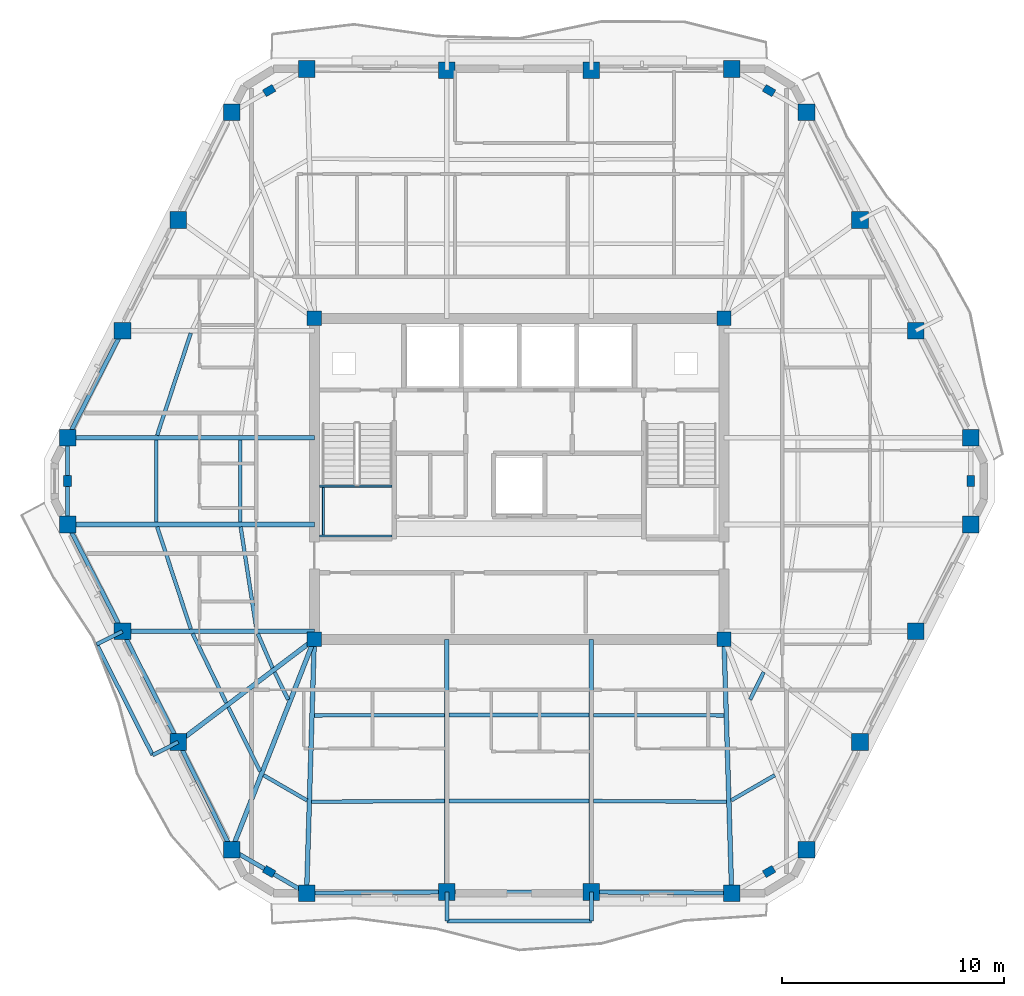
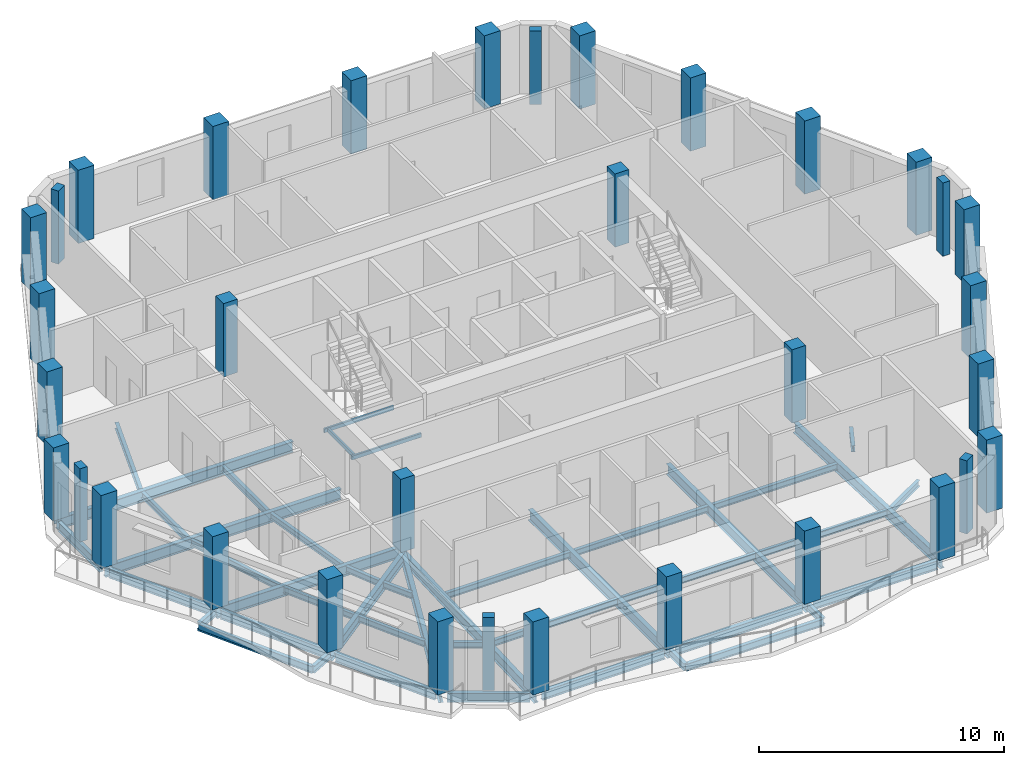
# One storey, part 1 of 11: 45 beams, 34 columns.
"""IFC4 building model written with IfcOpenShell, lengths in metres."""

from ifc_helpers import new_model, si_unit, direction, frame, origin, origin_2d, place, context, subcontext, project, spatial, rectangle, hollow_rectangle, i_section, extrude, material, material_profile, profile_set, type_object, element, save


model = new_model("IFC4")

# Units and contexts
model_context = context("Model", 3, precision=1e-05, world=origin(), true_north=direction((0.0, 1.0)))
body_context = subcontext(model_context, "Body", "Model", "MODEL_VIEW")
ifc_project = project(units=[si_unit("LENGTHUNIT", "METRE"), si_unit("AREAUNIT", "SQUARE_METRE"), si_unit("VOLUMEUNIT", "CUBIC_METRE"), si_unit("PLANEANGLEUNIT", "RADIAN"), si_unit("MASSUNIT", "GRAM", prefix="KILO")], contexts=[model_context])

# Site, building, storey
site_placement = place(None, origin())
site = spatial("IfcSite", under=ifc_project, at=site_placement, CompositionType="ELEMENT")
building_placement = place(site_placement, origin())
building = spatial("IfcBuilding", under=site, at=building_placement, Name="Cinnabar Lancet Tower", CompositionType="ELEMENT")
storey_placement = place(building_placement, frame((0.0, 0.0, 241.60009765625)))
storey = spatial("IfcBuildingStorey", under=building, at=storey_placement, Name="L64", CompositionType="ELEMENT", Elevation=241.60009765625)

# Columns
ifc_material_1 = material(Name="Concrete C50/60", Category="concrete")
ifc_material_profile_1 = material_profile(ifc_material_1, rectangle(XDim=0.64990234375, YDim=0.64990234375, at=origin_2d()), Name="RC-COL 650x650")
ifc_profile_set_1 = profile_set([ifc_material_profile_1], Name="Concrete C50/60")
column_type_1 = type_object("IfcColumnType", Name="STR-COL-CORE-650B", PredefinedType="COLUMN", material=ifc_profile_set_1)
for number, where, z_axis, x_axis, name in (
    (1, (23.175048828125, 18.675048828125, 0.0), (0.0, 0.0, 1.0), (1.0, 0.0, 0.0), "L64 Core Corner Column SW"),
    (2, (41.625, 18.675048828125, 0.0), (0.0, 0.0, 1.0), (1.0, 0.0, 0.0), "L64 Core Corner Column SE"),
    (3, (41.625, 33.125, 0.0), (0.0, 0.0, 1.0), (1.0, 0.0, 0.0), "L64 Core Corner Column NE"),
    (4, (23.175048828125, 33.125, 0.0), (0.0, 0.0, 1.0), (1.0, 0.0, 0.0), "L64 Core Corner Column NW"),
):
    element("IfcColumn", number, at=place(storey_placement, frame(where, z_axis=z_axis, x_axis=x_axis)), inside=storey, type_object=column_type_1, Name=name, PredefinedType="COLUMN", context=body_context, shape_type="SweptSolid", body=[
        extrude(rectangle(XDim=0.64990234375, YDim=0.64990234375, at=origin_2d()), origin(), (0.0, 0.0, 1.0), 3.64990234375),
    ])
ifc_material_2 = material(Name="Concrete C60/75", Category="concrete")
ifc_material_profile_2 = material_profile(ifc_material_2, rectangle(XDim=0.5, YDim=0.35009765625, at=origin_2d()), Name="RC-PIL 500x350")
ifc_profile_set_2 = profile_set([ifc_material_profile_2], Name="Concrete C60/75")
column_type_2 = type_object("IfcColumnType", Name="STR-COL-PIL-500", PredefinedType="PILASTER", material=ifc_profile_set_2)
for number, where, z_axis, x_axis, name in (
    (5, (21.14306640625, 8.215087890625, 0.0), (0.0, 0.0, 1.0), (0.865256437757, -0.501329529272, 0.0), "L64 Chamfered Corner Pilaster 1"),
    (6, (43.656982421875, 8.215087890625, 0.0), (0.0, 0.0, 1.0), (0.865256437757, 0.501329529272, 0.0), "L64 Chamfered Corner Pilaster 2"),
    (7, (52.737060546875, 25.800048828125, 0.0), (0.0, 0.0, 1.0), (0.0, 1.0, 0.0), "L64 Chamfered Corner Pilaster 3"),
    (8, (43.656982421875, 43.385009765625, 0.0), (0.0, 0.0, 1.0), (-0.865256437757, 0.501329529272, 0.0), "L64 Chamfered Corner Pilaster 4"),
    (9, (21.14306640625, 43.385009765625, 0.0), (0.0, 0.0, 1.0), (-0.865256437757, -0.501329529272, 0.0), "L64 Chamfered Corner Pilaster 5"),
    (10, (12.06298828125, 25.800048828125, 0.0), (0.0, 0.0, 1.0), (0.0, -1.0, 0.0), "L64 Chamfered Corner Pilaster 6"),
):
    element("IfcColumn", number, at=place(storey_placement, frame(where, z_axis=z_axis, x_axis=x_axis)), inside=storey, type_object=column_type_2, Name=name, PredefinedType="PILASTER", context=body_context, shape_type="SweptSolid", body=[
        extrude(rectangle(XDim=0.5, YDim=0.35009765625, at=origin_2d()), origin(), (0.0, 0.0, 1.0), 3.64990234375),
    ])
ifc_material_3 = material(Name="Concrete C50/60", Category="concrete")
ifc_material_profile_3 = material_profile(ifc_material_3, rectangle(XDim=0.75, YDim=0.75, at=origin_2d()), Name="RC-COL 750x750")
ifc_profile_set_3 = profile_set([ifc_material_profile_3], Name="Concrete C50/60")
column_type_3 = type_object("IfcColumnType", Name="STR-COL-TUBE-750", PredefinedType="COLUMN", material=ifc_profile_set_3)
for number, where, z_axis, x_axis, name in (
    (11, (22.827880859375, 7.239013671875, 0.0), (0.0, 0.0, 1.0), (1.0, 0.0, 0.0), "L64 Perimeter Tube Column 1"),
    (12, (29.14599609375, 7.2919921875, 0.0), (0.0, 0.0, 1.0), (1.0, 0.0, 0.0), "L64 Perimeter Tube Column 2"),
    (13, (35.654052734375, 7.2919921875, 0.0), (0.0, 0.0, 1.0), (1.0, 0.0, 0.0), "L64 Perimeter Tube Column 3"),
    (14, (41.971923828125, 7.239013671875, 0.0), (0.0, 0.0, 1.0), (1.0, 0.0, 0.0), "L64 Perimeter Tube Column 4"),
    (15, (45.341064453125, 9.19091796875, 0.0), (0.0, 0.0, 1.0), (1.0, 0.0, 0.0), "L64 Perimeter Tube Column 5"),
    (16, (47.7490234375, 14.0458984375, 0.0), (0.0, 0.0, 1.0), (1.0, 0.0, 0.0), "L64 Perimeter Tube Column 6"),
    (17, (50.263916015625, 19.032958984375, 0.0), (0.0, 0.0, 1.0), (1.0, 0.0, 0.0), "L64 Perimeter Tube Column 7"),
    (18, (52.737060546875, 23.844970703125, 0.0), (0.0, 0.0, 1.0), (1.0, 0.0, 0.0), "L64 Perimeter Tube Column 8"),
    (19, (52.737060546875, 27.7548828125, 0.0), (0.0, 0.0, 1.0), (1.0, 0.0, 0.0), "L64 Perimeter Tube Column 9"),
    (20, (50.263916015625, 32.56689453125, 0.0), (0.0, 0.0, 1.0), (1.0, 0.0, 0.0), "L64 Perimeter Tube Column 10"),
    (21, (47.7490234375, 37.553955078125, 0.0), (0.0, 0.0, 1.0), (1.0, 0.0, 0.0), "L64 Perimeter Tube Column 11"),
    (22, (45.341064453125, 42.408935546875, 0.0), (0.0, 0.0, 1.0), (1.0, 0.0, 0.0), "L64 Perimeter Tube Column 12"),
    (23, (41.971923828125, 44.361083984375, 0.0), (0.0, 0.0, 1.0), (1.0, 0.0, 0.0), "L64 Perimeter Tube Column 13"),
    (24, (35.654052734375, 44.30810546875, 0.0), (0.0, 0.0, 1.0), (1.0, 0.0, 0.0), "L64 Perimeter Tube Column 14"),
    (25, (29.14599609375, 44.30810546875, 0.0), (0.0, 0.0, 1.0), (1.0, 0.0, 0.0), "L64 Perimeter Tube Column 15"),
    (26, (22.827880859375, 44.361083984375, 0.0), (0.0, 0.0, 1.0), (1.0, 0.0, 0.0), "L64 Perimeter Tube Column 16"),
    (27, (19.458984375, 42.408935546875, 0.0), (0.0, 0.0, 1.0), (1.0, 0.0, 0.0), "L64 Perimeter Tube Column 17"),
    (28, (17.051025390625, 37.553955078125, 0.0), (0.0, 0.0, 1.0), (1.0, 0.0, 0.0), "L64 Perimeter Tube Column 18"),
    (29, (14.535888671875, 32.56689453125, 0.0), (0.0, 0.0, 1.0), (1.0, 0.0, 0.0), "L64 Perimeter Tube Column 19"),
    (30, (12.06298828125, 27.7548828125, 0.0), (0.0, 0.0, 1.0), (1.0, 0.0, 0.0), "L64 Perimeter Tube Column 20"),
    (31, (12.06298828125, 23.844970703125, 0.0), (0.0, 0.0, 1.0), (1.0, 0.0, 0.0), "L64 Perimeter Tube Column 21"),
    (32, (14.535888671875, 19.032958984375, 0.0), (0.0, 0.0, 1.0), (1.0, 0.0, 0.0), "L64 Perimeter Tube Column 22"),
    (33, (17.051025390625, 14.0458984375, 0.0), (0.0, 0.0, 1.0), (1.0, 0.0, 0.0), "L64 Perimeter Tube Column 23"),
    (34, (19.458984375, 9.19091796875, 0.0), (0.0, 0.0, 1.0), (1.0, 0.0, 0.0), "L64 Perimeter Tube Column 24"),
):
    element("IfcColumn", number, at=place(storey_placement, frame(where, z_axis=z_axis, x_axis=x_axis)), inside=storey, type_object=column_type_3, Name=name, PredefinedType="COLUMN", context=body_context, shape_type="SweptSolid", body=[
        extrude(rectangle(XDim=0.75, YDim=0.75, at=origin_2d()), origin(), (0.0, 0.0, 1.0), 3.64990234375),
    ])

# Beams
ifc_material_4 = material(Name="Structural steel S355", Category="steel")
ifc_material_profile_4 = material_profile(ifc_material_4, i_section(OverallWidth=0.1650390625, OverallDepth=0.303466796875, WebThickness=0.006103515625, FlangeThickness=0.01025390625, FilletRadius=0.0087890625, at=origin_2d()), Name="UKB 305x165x40")
ifc_profile_set_4 = profile_set([ifc_material_profile_4], Name="Structural steel S355")
beam_type_1 = type_object("IfcBeamType", Name="STR-BM-JST-305", PredefinedType="JOIST", material=ifc_profile_set_4)
beam_1_placement = place(storey_placement, frame((16.097900390625, 23.739990234375, -0.35205078125), z_axis=(0.312536616989, -0.949905712711, 0.0), x_axis=(0.949905712711, 0.312536616989, 0.0)))
element("IfcBeam", 35, at=beam_1_placement, inside=storey, type_object=beam_type_1, Name="L64 Secondary Floor Joist 1", PredefinedType="JOIST", context=body_context, shape_type="SweptSolid", body=[
    extrude(i_section(OverallWidth=0.1650390625, OverallDepth=0.303466796875, WebThickness=0.006103515625, FlangeThickness=0.01025390625, FilletRadius=0.0087890625, at=origin_2d()), origin(), (0.0, 0.0, 1.0), 4.8447265625),
])
beam_2_placement = place(storey_placement, frame((19.85791015625, 23.739990234375, -0.35205078125), z_axis=(0.152262059154, -0.988340156698, 0.0), x_axis=(0.988340156698, 0.152262059154, 0.0)))
element("IfcBeam", 36, at=beam_2_placement, inside=storey, type_object=beam_type_1, Name="L64 Secondary Floor Joist 2", PredefinedType="JOIST", context=body_context, shape_type="SweptSolid", body=[
    extrude(i_section(OverallWidth=0.1650390625, OverallDepth=0.303466796875, WebThickness=0.006103515625, FlangeThickness=0.01025390625, FilletRadius=0.0087890625, at=origin_2d()), origin(), (0.0, 0.0, 1.0), 4.65625),
])
beam_3_placement = place(storey_placement, frame((17.697021484375, 18.927978515625, -0.35205078125), z_axis=(0.43610936109, -0.899893674369, 0.0), x_axis=(0.899893674369, 0.43610936109, 0.0)))
element("IfcBeam", 37, at=beam_3_placement, inside=storey, type_object=beam_type_1, Name="L64 Secondary Floor Joist 3", PredefinedType="JOIST", context=body_context, shape_type="SweptSolid", body=[
    extrude(i_section(OverallWidth=0.1650390625, OverallDepth=0.303466796875, WebThickness=0.006103515625, FlangeThickness=0.01025390625, FilletRadius=0.0087890625, at=origin_2d()), origin(), (0.0, 0.0, 1.0), 3.467041015625),
])
beam_4_placement = place(storey_placement, frame((20.62890625, 18.927978515625, -0.35205078125), z_axis=(0.396302440144, -0.91812002262, 0.0), x_axis=(0.91812002262, 0.396302440144, 0.0)))
element("IfcBeam", 38, at=beam_4_placement, inside=storey, type_object=beam_type_1, Name="L64 Secondary Floor Joist 4", PredefinedType="JOIST", context=body_context, shape_type="SweptSolid", body=[
    extrude(i_section(OverallWidth=0.1650390625, OverallDepth=0.303466796875, WebThickness=0.006103515625, FlangeThickness=0.01025390625, FilletRadius=0.0087890625, at=origin_2d()), origin(), (0.0, 0.0, 1.0), 1.6806640625),
])
beam_5_placement = place(storey_placement, frame((19.302978515625, 15.616943359375, -0.35205078125), z_axis=(0.444330443712, -0.895862967641, 0.0), x_axis=(0.895862967641, 0.444330443712, 0.0)))
element("IfcBeam", 39, at=beam_5_placement, inside=storey, type_object=beam_type_1, Name="L64 Secondary Floor Joist 5", PredefinedType="JOIST", context=body_context, shape_type="SweptSolid", body=[
    extrude(i_section(OverallWidth=0.1650390625, OverallDepth=0.303466796875, WebThickness=0.006103515625, FlangeThickness=0.01025390625, FilletRadius=0.0087890625, at=origin_2d()), origin(), (0.0, 0.0, 1.0), 3.220458984375),
])
beam_6_placement = place(storey_placement, frame((21.385009765625, 17.19091796875, -0.35205078125), z_axis=(0.444093192127, -0.89598060063, 0.0), x_axis=(0.89598060063, 0.444093192127, 0.0)))
element("IfcBeam", 40, at=beam_6_placement, inside=storey, type_object=beam_type_1, Name="L64 Secondary Floor Joist 6", PredefinedType="JOIST", context=body_context, shape_type="SweptSolid", body=[
    extrude(i_section(OverallWidth=0.1650390625, OverallDepth=0.303466796875, WebThickness=0.006103515625, FlangeThickness=0.01025390625, FilletRadius=0.0087890625, at=origin_2d()), origin(), (0.0, 0.0, 1.0), 1.378173828125),
])
beam_7_placement = place(storey_placement, frame((20.887939453125, 12.552001953125, -0.35205078125), z_axis=(0.865426285481, -0.501036270542, 0.0), x_axis=(0.501036270542, 0.865426285481, 0.0)))
element("IfcBeam", 41, at=beam_7_placement, inside=storey, type_object=beam_type_1, Name="L64 Secondary Floor Joist 7", PredefinedType="JOIST", context=body_context, shape_type="SweptSolid", body=[
    extrude(i_section(OverallWidth=0.1650390625, OverallDepth=0.303466796875, WebThickness=0.006103515625, FlangeThickness=0.01025390625, FilletRadius=0.0087890625, at=origin_2d()), origin(), (0.0, 0.0, 1.0), 2.267333984375),
])
beam_8_placement = place(storey_placement, frame((23.05810546875, 11.35693359375, -0.35205078125), z_axis=(0.999985712428, 0.005345553266, 0.0), x_axis=(-0.005345553266, 0.999985712428, 0.0)))
element("IfcBeam", 42, at=beam_8_placement, inside=storey, type_object=beam_type_1, Name="L64 Secondary Floor Joist 8", PredefinedType="JOIST", context=body_context, shape_type="SweptSolid", body=[
    extrude(i_section(OverallWidth=0.1650390625, OverallDepth=0.303466796875, WebThickness=0.006103515625, FlangeThickness=0.01025390625, FilletRadius=0.0087890625, at=origin_2d()), origin(), (0.0, 0.0, 1.0), 5.98291015625),
])
beam_9_placement = place(storey_placement, frame((23.176025390625, 15.243896484375, -0.35205078125), z_axis=(0.999996226008, 0.002747356738, 0.0), x_axis=(-0.002747356738, 0.999996226008, 0.0)))
element("IfcBeam", 43, at=beam_9_placement, inside=storey, type_object=beam_type_1, Name="L64 Secondary Floor Joist 9", PredefinedType="JOIST", context=body_context, shape_type="SweptSolid", body=[
    extrude(i_section(OverallWidth=0.1650390625, OverallDepth=0.303466796875, WebThickness=0.006103515625, FlangeThickness=0.01025390625, FilletRadius=0.0087890625, at=origin_2d()), origin(), (0.0, 0.0, 1.0), 5.864990234375),
])
for number, where, z_axis, x_axis, name in (
    (44, (29.2509765625, 11.389892578125, -0.35205078125), (1.0, 0.0, 0.0), (0.0, 1.0, 0.0), "L64 Secondary Floor Joist 10"),
    (45, (29.2509765625, 15.260009765625, -0.35205078125), (1.0, 0.0, 0.0), (0.0, 1.0, 0.0), "L64 Secondary Floor Joist 11"),
):
    element("IfcBeam", number, at=place(storey_placement, frame(where, z_axis=z_axis, x_axis=x_axis)), inside=storey, type_object=beam_type_1, Name=name, PredefinedType="JOIST", context=body_context, shape_type="SweptSolid", body=[
        extrude(i_section(OverallWidth=0.1650390625, OverallDepth=0.303466796875, WebThickness=0.006103515625, FlangeThickness=0.01025390625, FilletRadius=0.0087890625, at=origin_2d()), origin(), (0.0, 0.0, 1.0), 6.298095703125),
    ])
beam_10_placement = place(storey_placement, frame((35.759033203125, 11.388916015625, -0.35205078125), z_axis=(0.999985712428, -0.005345553266, 0.0), x_axis=(0.005345553266, 0.999985712428, 0.0)))
element("IfcBeam", 46, at=beam_10_placement, inside=storey, type_object=beam_type_1, Name="L64 Secondary Floor Joist 12", PredefinedType="JOIST", context=body_context, shape_type="SweptSolid", body=[
    extrude(i_section(OverallWidth=0.1650390625, OverallDepth=0.303466796875, WebThickness=0.006103515625, FlangeThickness=0.01025390625, FilletRadius=0.0087890625, at=origin_2d()), origin(), (0.0, 0.0, 1.0), 5.98291015625),
])
beam_11_placement = place(storey_placement, frame((35.759033203125, 15.260009765625, -0.35205078125), z_axis=(0.999996226008, -0.002747356738, 0.0), x_axis=(0.002747356738, 0.999996226008, 0.0)))
element("IfcBeam", 47, at=beam_11_placement, inside=storey, type_object=beam_type_1, Name="L64 Secondary Floor Joist 13", PredefinedType="JOIST", context=body_context, shape_type="SweptSolid", body=[
    extrude(i_section(OverallWidth=0.1650390625, OverallDepth=0.303466796875, WebThickness=0.006103515625, FlangeThickness=0.01025390625, FilletRadius=0.0087890625, at=origin_2d()), origin(), (0.0, 0.0, 1.0), 5.864990234375),
])
beam_12_placement = place(storey_placement, frame((41.949951171875, 11.416015625, -0.35205078125), z_axis=(0.865426285481, 0.501036270542, 0.0), x_axis=(-0.501036270542, 0.865426285481, 0.0)))
element("IfcBeam", 48, at=beam_12_placement, inside=storey, type_object=beam_type_1, Name="L64 Secondary Floor Joist 14", PredefinedType="JOIST", context=body_context, shape_type="SweptSolid", body=[
    extrude(i_section(OverallWidth=0.1650390625, OverallDepth=0.303466796875, WebThickness=0.006103515625, FlangeThickness=0.01025390625, FilletRadius=0.0087890625, at=origin_2d()), origin(), (0.0, 0.0, 1.0), 2.267333984375),
])
beam_13_placement = place(storey_placement, frame((42.802978515625, 15.9560546875, -0.35205078125), z_axis=(0.444093192127, 0.89598060063, 0.0), x_axis=(-0.89598060063, 0.444093192127, 0.0)))
element("IfcBeam", 49, at=beam_13_placement, inside=storey, type_object=beam_type_1, Name="L64 Secondary Floor Joist 16", PredefinedType="JOIST", context=body_context, shape_type="SweptSolid", body=[
    extrude(i_section(OverallWidth=0.1650390625, OverallDepth=0.303466796875, WebThickness=0.006103515625, FlangeThickness=0.01025390625, FilletRadius=0.0087890625, at=origin_2d()), origin(), (0.0, 0.0, 1.0), 1.378173828125),
])
beam_14_placement = place(storey_placement, frame((17.612060546875, 32.4619140625, -0.35205078125), z_axis=(-0.312551578319, -0.949900790025, 0.0), x_axis=(0.949900790025, -0.312551578319, 0.0)))
element("IfcBeam", 50, at=beam_14_placement, inside=storey, type_object=beam_type_1, Name="L64 Secondary Floor Joist 41", PredefinedType="JOIST", context=body_context, shape_type="SweptSolid", body=[
    extrude(i_section(OverallWidth=0.1650390625, OverallDepth=0.303466796875, WebThickness=0.006103515625, FlangeThickness=0.01025390625, FilletRadius=0.0087890625, at=origin_2d()), origin(), (0.0, 0.0, 1.0), 4.844482421875),
])
for number, where, z_axis, x_axis, name in (
    (51, (16.06298828125, 27.64990234375, -0.35205078125), (0.0, -1.0, 0.0), (1.0, 0.0, 0.0), "L64 Secondary Floor Joist 43"),
    (52, (19.841064453125, 27.64990234375, -0.35205078125), (0.0, -1.0, 0.0), (1.0, 0.0, 0.0), "L64 Secondary Floor Joist 44"),
):
    element("IfcBeam", number, at=place(storey_placement, frame(where, z_axis=z_axis, x_axis=x_axis)), inside=storey, type_object=beam_type_1, Name=name, PredefinedType="JOIST", context=body_context, shape_type="SweptSolid", body=[
        extrude(i_section(OverallWidth=0.1650390625, OverallDepth=0.303466796875, WebThickness=0.006103515625, FlangeThickness=0.01025390625, FilletRadius=0.0087890625, at=origin_2d()), origin(), (0.0, 0.0, 1.0), 3.699951171875),
    ])
ifc_material_5 = material(Name="Structural steel S355", Category="steel")
ifc_material_profile_5 = material_profile(ifc_material_5, hollow_rectangle(XDim=0.10009765625, YDim=0.199951171875, WallThickness=0.008056640625, InnerFilletRadius=0.00390625, OuterFilletRadius=0.011962890625, at=origin_2d()), Name="RHS 200x100x8")
ifc_profile_set_5 = profile_set([ifc_material_profile_5], Name="Structural steel S355")
beam_type_2 = type_object("IfcBeamType", Name="STR-BM-LND-203", PredefinedType="BEAM", material=ifc_profile_set_5)
for number, where, z_axis, x_axis, name in (
    (53, (23.39990234375, 23.330078125, 1.52490234375), (1.0, 0.0, 0.0), (0.0, 1.0, 0.0), "L64 ST-1-L64 Landing Support Beam S"),
    (54, (23.39990234375, 25.570068359375, 1.52490234375), (1.0, 0.0, 0.0), (0.0, 1.0, 0.0), "L64 ST-1-L64 Landing Support Beam N"),
):
    element("IfcBeam", number, at=place(storey_placement, frame(where, z_axis=z_axis, x_axis=x_axis)), inside=storey, type_object=beam_type_2, Name=name, PredefinedType="BEAM", context=body_context, shape_type="SweptSolid", body=[
        extrude(hollow_rectangle(XDim=0.10009765625, YDim=0.199951171875, WallThickness=0.008056640625, InnerFilletRadius=0.00390625, OuterFilletRadius=0.011962890625, at=origin_2d()), origin(), (0.0, 0.0, 1.0), 3.280029296875),
    ])
beam_15_placement = place(storey_placement, frame((23.580078125, 23.3798828125, 1.52490234375), z_axis=(0.0, 1.0, 0.0), x_axis=(-1.0, 0.0, 0.0)))
element("IfcBeam", 55, at=beam_15_placement, inside=storey, type_object=beam_type_2, Name="L64 ST-1-L64 Landing Side Trimmer Beam", PredefinedType="BEAM", context=body_context, shape_type="SweptSolid", body=[
    extrude(hollow_rectangle(XDim=0.10009765625, YDim=0.199951171875, WallThickness=0.008056640625, InnerFilletRadius=0.00390625, OuterFilletRadius=0.011962890625, at=origin_2d()), origin(), (0.0, 0.0, 1.0), 2.14013671875),
])
ifc_material_6 = material(Name="Structural steel S355", Category="steel")
ifc_material_profile_6 = material_profile(ifc_material_6, i_section(OverallWidth=0.1904296875, OverallDepth=0.45703125, WebThickness=0.009033203125, FlangeThickness=0.014404296875, FilletRadius=0.01025390625, at=origin_2d()), Name="UKB 457x191x74")
ifc_profile_set_6 = profile_set([ifc_material_profile_6], Name="Structural steel S355")
beam_type_3 = type_object("IfcBeamType", Name="STR-BM-SPN-457", PredefinedType="SPANDREL", material=ifc_profile_set_6)
beam_16_placement = place(storey_placement, frame((23.077880859375, 7.240966796875, -0.427978515625), z_axis=(0.999964432412, 0.008434092187, 0.0), x_axis=(-0.008434092187, 0.999964432412, 0.0)))
element("IfcBeam", 56, at=beam_16_placement, inside=storey, type_object=beam_type_3, Name="L64 Perimeter Spandrel 1", PredefinedType="SPANDREL", context=body_context, shape_type="SweptSolid", body=[
    extrude(i_section(OverallWidth=0.1904296875, OverallDepth=0.45703125, WebThickness=0.009033203125, FlangeThickness=0.014404296875, FilletRadius=0.01025390625, at=origin_2d()), origin(), (0.0, 0.0, 1.0), 5.818359375),
])
beam_17_placement = place(storey_placement, frame((29.39599609375, 7.2919921875, -0.427978515625), z_axis=(1.0, 0.0, 0.0), x_axis=(0.0, 1.0, 0.0)))
element("IfcBeam", 57, at=beam_17_placement, inside=storey, type_object=beam_type_3, Name="L64 Perimeter Spandrel 2", PredefinedType="SPANDREL", context=body_context, shape_type="SweptSolid", body=[
    extrude(i_section(OverallWidth=0.1904296875, OverallDepth=0.45703125, WebThickness=0.009033203125, FlangeThickness=0.014404296875, FilletRadius=0.01025390625, at=origin_2d()), origin(), (0.0, 0.0, 1.0), 6.008056640625),
])
beam_18_placement = place(storey_placement, frame((35.904052734375, 7.2900390625, -0.427978515625), z_axis=(0.999964429427, -0.00843444609, 0.0), x_axis=(0.00843444609, 0.999964429427, 0.0)))
element("IfcBeam", 58, at=beam_18_placement, inside=storey, type_object=beam_type_3, Name="L64 Perimeter Spandrel 3", PredefinedType="SPANDREL", context=body_context, shape_type="SweptSolid", body=[
    extrude(i_section(OverallWidth=0.1904296875, OverallDepth=0.45703125, WebThickness=0.009033203125, FlangeThickness=0.014404296875, FilletRadius=0.01025390625, at=origin_2d()), origin(), (0.0, 0.0, 1.0), 5.818115234375),
])
beam_19_placement = place(storey_placement, frame((14.422119140625, 32.344970703125, -0.427978515625), z_axis=(-0.457148063427, -0.889390604912, 0.0), x_axis=(0.889390604912, -0.457148063427, 0.0)))
element("IfcBeam", 59, at=beam_19_placement, inside=storey, type_object=beam_type_3, Name="L64 Perimeter Spandrel 19", PredefinedType="SPANDREL", context=body_context, shape_type="SweptSolid", body=[
    extrude(i_section(OverallWidth=0.1904296875, OverallDepth=0.45703125, WebThickness=0.009033203125, FlangeThickness=0.014404296875, FilletRadius=0.01025390625, at=origin_2d()), origin(), (0.0, 0.0, 1.0), 4.9111328125),
])
beam_20_placement = place(storey_placement, frame((12.06298828125, 27.5048828125, -0.427978515625), z_axis=(0.0, -1.0, 0.0), x_axis=(1.0, 0.0, 0.0)))
element("IfcBeam", 60, at=beam_20_placement, inside=storey, type_object=beam_type_3, Name="L64 Perimeter Spandrel 20", PredefinedType="SPANDREL", context=body_context, shape_type="SweptSolid", body=[
    extrude(i_section(OverallWidth=0.1904296875, OverallDepth=0.45703125, WebThickness=0.009033203125, FlangeThickness=0.014404296875, FilletRadius=0.01025390625, at=origin_2d()), origin(), (0.0, 0.0, 1.0), 3.409912109375),
])
beam_21_placement = place(storey_placement, frame((12.177001953125, 23.623046875, -0.427978515625), z_axis=(0.457127852293, -0.889400993174, 0.0), x_axis=(0.889400993174, 0.457127852293, 0.0)))
element("IfcBeam", 61, at=beam_21_placement, inside=storey, type_object=beam_type_3, Name="L64 Perimeter Spandrel 21", PredefinedType="SPANDREL", context=body_context, shape_type="SweptSolid", body=[
    extrude(i_section(OverallWidth=0.1904296875, OverallDepth=0.45703125, WebThickness=0.009033203125, FlangeThickness=0.014404296875, FilletRadius=0.01025390625, at=origin_2d()), origin(), (0.0, 0.0, 1.0), 4.911376953125),
])
beam_22_placement = place(storey_placement, frame((14.64892578125, 18.81005859375, -0.427978515625), z_axis=(0.450130146726, -0.892962961722, 0.0), x_axis=(0.892962961722, 0.450130146726, 0.0)))
element("IfcBeam", 62, at=beam_22_placement, inside=storey, type_object=beam_type_3, Name="L64 Perimeter Spandrel 22", PredefinedType="SPANDREL", context=body_context, shape_type="SweptSolid", body=[
    extrude(i_section(OverallWidth=0.1904296875, OverallDepth=0.45703125, WebThickness=0.009033203125, FlangeThickness=0.014404296875, FilletRadius=0.01025390625, at=origin_2d()), origin(), (0.0, 0.0, 1.0), 5.08544921875),
])
beam_23_placement = place(storey_placement, frame((17.162109375, 13.822021484375, -0.427978515625), z_axis=(0.44433276947, -0.895861814107, 0.0), x_axis=(0.895861814107, 0.44433276947, 0.0)))
element("IfcBeam", 63, at=beam_23_placement, inside=storey, type_object=beam_type_3, Name="L64 Perimeter Spandrel 23", PredefinedType="SPANDREL", context=body_context, shape_type="SweptSolid", body=[
    extrude(i_section(OverallWidth=0.1904296875, OverallDepth=0.45703125, WebThickness=0.009033203125, FlangeThickness=0.014404296875, FilletRadius=0.01025390625, at=origin_2d()), origin(), (0.0, 0.0, 1.0), 4.919189453125),
])
beam_24_placement = place(storey_placement, frame((19.675048828125, 9.06591796875, -0.427978515625), z_axis=(0.865230894194, -0.50137361292, 0.0), x_axis=(0.50137361292, 0.865230894194, 0.0)))
element("IfcBeam", 64, at=beam_24_placement, inside=storey, type_object=beam_type_3, Name="L64 Perimeter Spandrel 24", PredefinedType="SPANDREL", context=body_context, shape_type="SweptSolid", body=[
    extrude(i_section(OverallWidth=0.1904296875, OverallDepth=0.45703125, WebThickness=0.009033203125, FlangeThickness=0.014404296875, FilletRadius=0.01025390625, at=origin_2d()), origin(), (0.0, 0.0, 1.0), 3.39453125),
])
ifc_material_7 = material(Name="Structural steel S355", Category="steel")
ifc_material_profile_7 = material_profile(ifc_material_7, i_section(OverallWidth=0.209228515625, OverallDepth=0.533203125, WebThickness=0.010009765625, FlangeThickness=0.015625, FilletRadius=0.0126953125, at=origin_2d()), Name="UKB 533x210x92")
ifc_profile_set_7 = profile_set([ifc_material_profile_7], Name="Structural steel S355")
beam_type_4 = type_object("IfcBeamType", Name="STR-BM-UKB533-92", PredefinedType="BEAM", material=ifc_profile_set_7)
beam_25_placement = place(storey_placement, frame((17.051025390625, 14.0458984375, -0.467041015625), z_axis=(0.797735075719, 0.603008083667, 0.0), x_axis=(-0.603008083667, 0.797735075719, 0.0)))
element("IfcBeam", 65, at=beam_25_placement, inside=storey, type_object=beam_type_4, Name="L64 Corner Collector Girder 1", PredefinedType="BEAM", context=body_context, shape_type="SweptSolid", body=[
    extrude(i_section(OverallWidth=0.209228515625, OverallDepth=0.533203125, WebThickness=0.010009765625, FlangeThickness=0.015625, FilletRadius=0.0126953125, at=origin_2d()), origin(), (0.0, 0.0, 1.0), 7.6767578125),
])
beam_26_placement = place(storey_placement, frame((22.827880859375, 7.239013671875, -0.467041015625), z_axis=(0.030343393029, 0.999539533235, 0.0), x_axis=(-0.999539533235, 0.030343393029, 0.0)))
element("IfcBeam", 66, at=beam_26_placement, inside=storey, type_object=beam_type_4, Name="L64 Primary Floor Girder 1", PredefinedType="BEAM", context=body_context, shape_type="SweptSolid", body=[
    extrude(i_section(OverallWidth=0.209228515625, OverallDepth=0.533203125, WebThickness=0.010009765625, FlangeThickness=0.015625, FilletRadius=0.0126953125, at=origin_2d()), origin(), (0.0, 0.0, 1.0), 11.44140625),
])
for number, where, z_axis, x_axis, name in (
    (67, (29.14599609375, 7.2919921875, -0.467041015625), (0.0, 1.0, 0.0), (-1.0, 0.0, 0.0), "L64 Primary Floor Girder 2"),
    (68, (35.654052734375, 7.2919921875, -0.467041015625), (0.0, 1.0, 0.0), (-1.0, 0.0, 0.0), "L64 Primary Floor Girder 3"),
):
    element("IfcBeam", number, at=place(storey_placement, frame(where, z_axis=z_axis, x_axis=x_axis)), inside=storey, type_object=beam_type_4, Name=name, PredefinedType="BEAM", context=body_context, shape_type="SweptSolid", body=[
        extrude(i_section(OverallWidth=0.209228515625, OverallDepth=0.533203125, WebThickness=0.010009765625, FlangeThickness=0.015625, FilletRadius=0.0126953125, at=origin_2d()), origin(), (0.0, 0.0, 1.0), 11.383056640625),
    ])
beam_27_placement = place(storey_placement, frame((41.971923828125, 7.239013671875, -0.467041015625), z_axis=(-0.030322074123, 0.999540180193, 0.0), x_axis=(-0.999540180193, -0.030322074123, 0.0)))
element("IfcBeam", 69, at=beam_27_placement, inside=storey, type_object=beam_type_4, Name="L64 Primary Floor Girder 4", PredefinedType="BEAM", context=body_context, shape_type="SweptSolid", body=[
    extrude(i_section(OverallWidth=0.209228515625, OverallDepth=0.533203125, WebThickness=0.010009765625, FlangeThickness=0.015625, FilletRadius=0.0126953125, at=origin_2d()), origin(), (0.0, 0.0, 1.0), 11.44140625),
])
for number, where, z_axis, x_axis, name in (
    (70, (12.06298828125, 27.7548828125, -0.467041015625), (1.0, 0.0, 0.0), (0.0, 1.0, 0.0), "L64 Primary Floor Girder 20"),
    (71, (12.06298828125, 23.844970703125, -0.467041015625), (1.0, 0.0, 0.0), (0.0, 1.0, 0.0), "L64 Primary Floor Girder 21"),
):
    element("IfcBeam", number, at=place(storey_placement, frame(where, z_axis=z_axis, x_axis=x_axis)), inside=storey, type_object=beam_type_4, Name=name, PredefinedType="BEAM", context=body_context, shape_type="SweptSolid", body=[
        extrude(i_section(OverallWidth=0.209228515625, OverallDepth=0.533203125, WebThickness=0.010009765625, FlangeThickness=0.015625, FilletRadius=0.0126953125, at=origin_2d()), origin(), (0.0, 0.0, 1.0), 11.112060546875),
    ])
beam_28_placement = place(storey_placement, frame((14.535888671875, 19.032958984375, -0.467041015625), z_axis=(1.0, 0.0, 0.0), x_axis=(0.0, 1.0, 0.0)))
element("IfcBeam", 72, at=beam_28_placement, inside=storey, type_object=beam_type_4, Name="L64 Primary Floor Girder 22", PredefinedType="BEAM", context=body_context, shape_type="SweptSolid", body=[
    extrude(i_section(OverallWidth=0.209228515625, OverallDepth=0.533203125, WebThickness=0.010009765625, FlangeThickness=0.015625, FilletRadius=0.0126953125, at=origin_2d()), origin(), (0.0, 0.0, 1.0), 8.63916015625),
])
beam_29_placement = place(storey_placement, frame((19.458984375, 9.19091796875, -0.467041015625), z_axis=(0.364815017375, 0.931080019707, 0.0), x_axis=(-0.931080019707, 0.364815017375, 0.0)))
element("IfcBeam", 73, at=beam_29_placement, inside=storey, type_object=beam_type_4, Name="L64 Primary Floor Girder 24", PredefinedType="BEAM", context=body_context, shape_type="SweptSolid", body=[
    extrude(i_section(OverallWidth=0.209228515625, OverallDepth=0.533203125, WebThickness=0.010009765625, FlangeThickness=0.015625, FilletRadius=0.0126953125, at=origin_2d()), origin(), (0.0, 0.0, 1.0), 10.186279296875),
])
ifc_material_8 = material(Name="Structural steel S355", Category="steel")
ifc_material_profile_8 = material_profile(ifc_material_8, i_section(OverallWidth=0.17138671875, OverallDepth=0.35498046875, WebThickness=0.00732421875, FlangeThickness=0.011474609375, FilletRadius=0.01025390625, at=origin_2d()), Name="UKB 356x171x51")
ifc_profile_set_8 = profile_set([ifc_material_profile_8], Name="Structural steel S355")
beam_type_5 = type_object("IfcBeamType", Name="STR-BM-WAV-OUT", PredefinedType="BEAM", material=ifc_profile_set_8)
for number, where, z_axis, x_axis, name in (
    (74, (29.14599609375, 7.2919921875, -0.398193359375), (0.0, -1.0, 0.0), (1.0, 0.0, 0.0), "L64 Face 1 Balcony Outlooker A"),
    (75, (35.654052734375, 7.2919921875, -0.398193359375), (0.0, -1.0, 0.0), (1.0, 0.0, 0.0), "L64 Face 1 Balcony Outlooker B"),
    (76, (14.535888671875, 19.032958984375, -0.398193359375), (-0.89227592947, -0.451490493464, 0.0), (0.451490493464, -0.89227592947, 0.0), "L64 Face 6 Balcony Outlooker A"),
    (77, (17.051025390625, 14.0458984375, -0.398193359375), (-0.89227592947, -0.451490493464, 0.0), (0.451490493464, -0.89227592947, 0.0), "L64 Face 6 Balcony Outlooker B"),
):
    element("IfcBeam", number, at=place(storey_placement, frame(where, z_axis=z_axis, x_axis=x_axis)), inside=storey, type_object=beam_type_5, Name=name, PredefinedType="BEAM", context=body_context, shape_type="SweptSolid", body=[
        extrude(i_section(OverallWidth=0.17138671875, OverallDepth=0.35498046875, WebThickness=0.00732421875, FlangeThickness=0.011474609375, FilletRadius=0.01025390625, at=origin_2d()), origin(), (0.0, 0.0, 1.0), 1.300048828125),
    ])
ifc_material_9 = material(Name="Structural steel S355", Category="steel")
ifc_material_profile_9 = material_profile(ifc_material_9, i_section(OverallWidth=0.17138671875, OverallDepth=0.35498046875, WebThickness=0.00732421875, FlangeThickness=0.011474609375, FilletRadius=0.01025390625, at=origin_2d()), Name="UKB 356x171x51")
ifc_profile_set_9 = profile_set([ifc_material_profile_9], Name="Structural steel S355")
beam_type_6 = type_object("IfcBeamType", Name="STR-BM-WAV-TRIM", PredefinedType="SPANDREL", material=ifc_profile_set_9)
beam_30_placement = place(storey_placement, frame((29.14599609375, 5.991943359375, -0.398193359375), z_axis=(1.0, 0.0, 0.0), x_axis=(0.0, 1.0, 0.0)))
element("IfcBeam", 78, at=beam_30_placement, inside=storey, type_object=beam_type_6, Name="L64 Face 1 Balcony Edge Trimmer", PredefinedType="SPANDREL", context=body_context, shape_type="SweptSolid", body=[
    extrude(i_section(OverallWidth=0.17138671875, OverallDepth=0.35498046875, WebThickness=0.00732421875, FlangeThickness=0.011474609375, FilletRadius=0.01025390625, at=origin_2d()), origin(), (0.0, 0.0, 1.0), 6.508056640625),
])
beam_31_placement = place(storey_placement, frame((13.3759765625, 18.446044921875, -0.398193359375), z_axis=(0.450305622338, -0.892874485295, 0.0), x_axis=(0.892874485295, 0.450305622338, 0.0)))
element("IfcBeam", 79, at=beam_31_placement, inside=storey, type_object=beam_type_6, Name="L64 Face 6 Balcony Edge Trimmer", PredefinedType="SPANDREL", context=body_context, shape_type="SweptSolid", body=[
    extrude(i_section(OverallWidth=0.17138671875, OverallDepth=0.35498046875, WebThickness=0.00732421875, FlangeThickness=0.011474609375, FilletRadius=0.01025390625, at=origin_2d()), origin(), (0.0, 0.0, 1.0), 5.58544921875),
])

save(model, "model.ifc")
